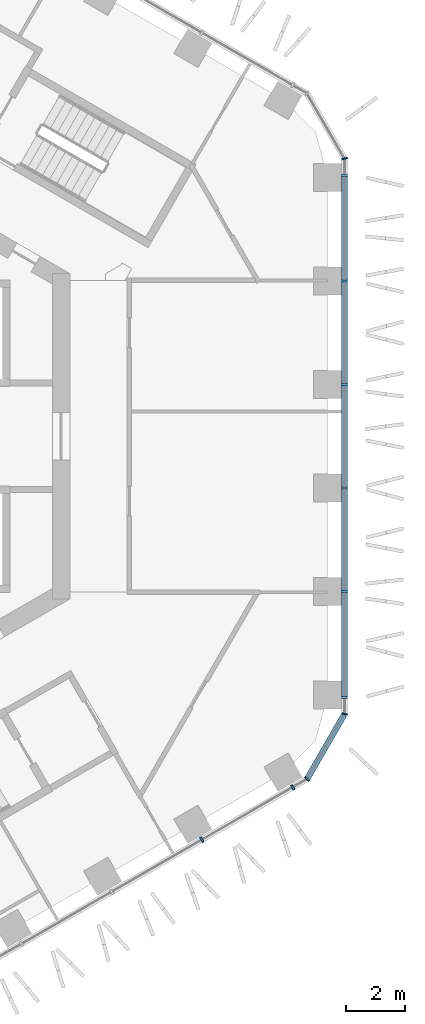
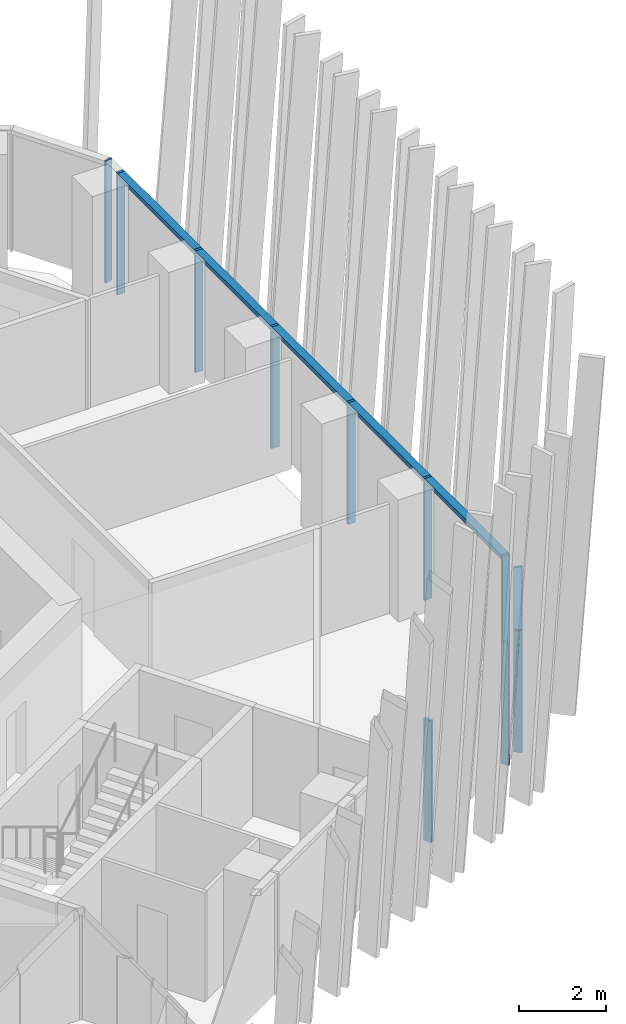
# One storey, part 5 of 21: 13 members, 4 elements without a shape of their own.
"""IFC4 building model written with IfcOpenShell, lengths in metres."""

import ifcopenshell
import ifcopenshell.guid

model = None  # the IFC model being written
_history = None  # IfcOwnerHistory: only IFC2X3 demands one
_inside = {}  # id of a spatial element -> (the spatial element, [elements in it])
_under = {}  # id of a project, library or spatial element -> (it, [spatial elements below it])
_declared = {}  # id of a project -> (the project, [libraries it declares])
_typed = {}  # id of a type object -> (the type object, [elements of that type])
_made_of = {}  # id of a material, layer set ... -> (it, [elements and type objects made of it])


def new_model(schema):
    """Start an empty IFC model of exactly this schema.

    Asked for "IFC4X3", IfcOpenShell would pick the latest addendum, in which some entities
    have other attributes; the version numbers below select the first issue.
    IFC2X3 requires an IfcOwnerHistory on every rooted entity: one is made here for all.
    """
    global model, _history
    if schema == "IFC4X3":
        model = ifcopenshell.file(schema_version=(4, 3, 0, 0))
    else:
        model = ifcopenshell.file(schema=schema)
    _inside.clear()
    _under.clear()
    _declared.clear()
    _typed.clear()
    _made_of.clear()
    _history = None
    if model.schema == "IFC2X3":
        org = make("IfcOrganization", Name="unknown")
        user = make(
            "IfcPersonAndOrganization",
            ThePerson=make("IfcPerson", FamilyName="unknown"),
            TheOrganization=org,
        )
        app = make(
            "IfcApplication",
            ApplicationDeveloper=org,
            Version="unknown",
            ApplicationFullName="unknown",
            ApplicationIdentifier="unknown",
        )
        _history = make(
            "IfcOwnerHistory",
            OwningUser=user,
            OwningApplication=app,
            ChangeAction="ADDED",
            CreationDate=0,
        )
    return model


def make(cls, **values):
    """One entity of the class cls with the attributes given. An attribute that is None is left unset."""
    return model.create_entity(
        cls, **{name: value for name, value in values.items() if value is not None}
    )


def rooted(cls, **values):
    """An entity with a GlobalId (a new one), such as an element, a storey or a relation."""
    return make(cls, GlobalId=ifcopenshell.guid.new(), OwnerHistory=_history, **values)


def si_unit(unit_type, name, prefix=None):
    """IfcSIUnit, for example si_unit("LENGTHUNIT", "METRE", prefix="MILLI")."""
    return make("IfcSIUnit", UnitType=unit_type, Prefix=prefix, Name=name)


def assignment(units):
    """IfcUnitAssignment: the units of a project."""
    return None if units is None else make("IfcUnitAssignment", Units=units)


def point(xyz):
    """IfcCartesianPoint."""
    return None if xyz is None else make("IfcCartesianPoint", Coordinates=xyz)


def direction(xyz):
    """IfcDirection."""
    return None if xyz is None else make("IfcDirection", DirectionRatios=xyz)


def frame(location, z_axis=None, x_axis=None):
    """IfcAxis2Placement3D, a coordinate frame: its origin and axes. An axis left out is left unset."""
    return make(
        "IfcAxis2Placement3D",
        Location=point(location),
        Axis=direction(z_axis),
        RefDirection=direction(x_axis),
    )


def frame_2d(location, x_axis=None):
    """IfcAxis2Placement2D, a coordinate frame in the plane: its origin and x axis."""
    return make(
        "IfcAxis2Placement2D", Location=point(location), RefDirection=direction(x_axis)
    )


def origin():
    """The frame at (0, 0, 0) with its axes left unset."""
    return frame((0.0, 0.0, 0.0))


def origin_2d():
    """The frame at (0, 0) in the plane with its x axis left unset."""
    return frame_2d((0.0, 0.0))


def place(relative_to, where):
    """IfcLocalPlacement: puts the frame where relative to a parent placement (None: the world)."""
    return make(
        "IfcLocalPlacement", PlacementRelTo=relative_to, RelativePlacement=where
    )


def context(
    kind, dimensions, precision=None, world=None, true_north=None, identifier=None
):
    """IfcGeometricRepresentationContext, for example the 3D "Model" context."""
    return make(
        "IfcGeometricRepresentationContext",
        ContextIdentifier=identifier,
        ContextType=kind,
        CoordinateSpaceDimension=dimensions,
        Precision=precision,
        WorldCoordinateSystem=world,
        TrueNorth=true_north,
    )


def subcontext(parent, identifier, kind, view, scale=None):
    """IfcGeometricRepresentationSubContext, for example "Body" below "Model"."""
    return make(
        "IfcGeometricRepresentationSubContext",
        ContextIdentifier=identifier,
        ContextType=kind,
        ParentContext=parent,
        TargetScale=scale,
        TargetView=view,
    )


def project(units=None, contexts=None):
    """IfcProject with its units and contexts."""
    return rooted(
        "IfcProject",
        Name="project",
        RepresentationContexts=contexts,
        UnitsInContext=assignment(units),
    )


def spatial(cls, under=None, at=None, **own):
    """A site, building, storey or space (cls), placed at a placement, below another one or the project."""
    s = rooted(cls, ObjectPlacement=at, **own)
    if under is not None:
        _under.setdefault(under.id(), (under, []))[1].append(s)
    return s


def profile(cls, at=None, kind="AREA", **sizes):
    """A parametric profile (cls). Its sizes go by their IFC names, for example OverallWidth=200.0."""
    return make(cls, ProfileType=kind, Position=at, **sizes)


def rectangle(**sizes):
    """IfcRectangleProfileDef."""
    return profile("IfcRectangleProfileDef", **sizes)


def extrude(swept, where, along, depth):
    """IfcExtrudedAreaSolid: the profile swept, set in the frame where, extruded along a direction by depth."""
    return make(
        "IfcExtrudedAreaSolid",
        SweptArea=swept,
        Position=where,
        ExtrudedDirection=direction(along),
        Depth=depth,
    )


def shape(context_of_items, identifier, shape_type, items):
    """IfcShapeRepresentation: the items that make up one representation, for example the "Body"."""
    return make(
        "IfcShapeRepresentation",
        ContextOfItems=context_of_items,
        RepresentationIdentifier=identifier,
        RepresentationType=shape_type,
        Items=items,
    )


def material(Name=None, Category=None):
    """IfcMaterial."""
    return make("IfcMaterial", Name=Name, Category=Category)


def layer(
    of_material, thickness, ventilated=None, Name=None, Category=None, Priority=None
):
    """IfcMaterialLayer: one layer of a wall or slab, of a material (None: an air gap)."""
    return make(
        "IfcMaterialLayer",
        Material=of_material,
        LayerThickness=thickness,
        IsVentilated=ventilated,
        Name=Name,
        Category=Category,
        Priority=Priority,
    )


def layer_set(layers, Name=None):
    """IfcMaterialLayerSet."""
    return make("IfcMaterialLayerSet", MaterialLayers=layers, LayerSetName=Name)


def material_profile(
    of_material, cross_section, Name=None, Category=None, Priority=None
):
    """IfcMaterialProfile: a cross section and its material."""
    return make(
        "IfcMaterialProfile",
        Name=Name,
        Material=of_material,
        Profile=cross_section,
        Priority=Priority,
        Category=Category,
    )


def profile_set(profiles, Name=None, composite=None):
    """IfcMaterialProfileSet."""
    return make(
        "IfcMaterialProfileSet",
        Name=Name,
        MaterialProfiles=profiles,
        CompositeProfile=composite,
    )


def made_of(thing, what):
    """Note that an element or type object is made of a material, layer set ...; save() writes the relation."""
    if what is not None:
        _made_of.setdefault(what.id(), (what, []))[1].append(thing)
    return thing


def type_object(cls, material=None, **own):
    """A type object (cls), such as IfcWallType, which elements share."""
    return made_of(rooted(cls, **own), material)


def element(
    cls,
    number,
    at=None,
    inside=None,
    cuts=None,
    type_object=None,
    material=None,
    context=None,
    identifier="Body",
    shape_type=None,
    held_by="IfcProductDefinitionShape",
    body=None,
    shapes=None,
    **own,
):
    """One element of the class cls, such as IfcWall. Its Tag is "e" and its number.

    at: its placement. inside: the storey or other place that contains it. cuts: it is an
    opening in that element (IfcRelVoidsElement). A single representation is given by context,
    identifier, shape_type and body (its items); several are given by shapes. held_by: the class
    of the entity that holds the representations. save() writes the other relations.
    """
    e = rooted(cls, Tag="e%d" % number, ObjectPlacement=at, **own)
    if body is not None:
        shapes = [shape(context, identifier, shape_type, body)]
    if shapes is not None:
        e.Representation = make(held_by, Representations=shapes)
    if inside is not None:
        _inside.setdefault(inside.id(), (inside, []))[1].append(e)
    if cuts is not None:
        rooted(
            "IfcRelVoidsElement", RelatingBuildingElement=cuts, RelatedOpeningElement=e
        )
    if type_object is not None:
        _typed.setdefault(type_object.id(), (type_object, []))[1].append(e)
    return made_of(e, material)


def aggregate(whole, parts):
    """IfcRelAggregates: a whole, such as a stair, and the parts it consists of."""
    return rooted("IfcRelAggregates", RelatingObject=whole, RelatedObjects=parts)


def save(model, path):
    """Write the relations noted so far, then the file.

    IfcRelAggregates (storeys below a building ...), IfcRelContainedInSpatialStructure (elements
    in a storey), IfcRelDefinesByType, IfcRelAssociatesMaterial and IfcRelDeclares: one each for
    every whole, place, type object, material and project.
    """
    for whole, parts in _under.values():
        aggregate(whole, parts)
    for where, things in _inside.values():
        rooted(
            "IfcRelContainedInSpatialStructure",
            RelatedElements=things,
            RelatingStructure=where,
        )
    for kind, things in _typed.values():
        rooted("IfcRelDefinesByType", RelatedObjects=things, RelatingType=kind)
    for what, things in _made_of.values():
        rooted("IfcRelAssociatesMaterial", RelatedObjects=things, RelatingMaterial=what)
    for by, libraries in _declared.values():
        rooted("IfcRelDeclares", RelatingContext=by, RelatedDefinitions=libraries)
    model.write(path)


model = new_model("IFC4")

# Units and contexts
model_context = context("Model", 3, precision=1e-05, world=origin(), true_north=direction((0.0, 1.0)))
body_context = subcontext(model_context, "Body", "Model", "MODEL_VIEW")
ifc_project = project(units=[si_unit("LENGTHUNIT", "METRE"), si_unit("AREAUNIT", "SQUARE_METRE"), si_unit("VOLUMEUNIT", "CUBIC_METRE"), si_unit("PLANEANGLEUNIT", "RADIAN"), si_unit("MASSUNIT", "GRAM", prefix="KILO")], contexts=[model_context])

# Site, building, storey
site_placement = place(None, origin())
site = spatial("IfcSite", under=ifc_project, at=site_placement, CompositionType="ELEMENT")
building_placement = place(site_placement, origin())
building = spatial("IfcBuilding", under=site, at=building_placement, Name="Ayvan Gate Tower", CompositionType="ELEMENT")
storey_placement = place(building_placement, frame((0.0, 0.0, 152.699951171875)))
storey = spatial("IfcBuildingStorey", under=building, at=storey_placement, Name="L40", CompositionType="ELEMENT", Elevation=152.699951171875)

# Curtain wall, members
ifc_material = material(Name="Bronze anodised aluminium", Category="aluminium")
ifc_layer_1 = layer(ifc_material, 0.199951171875)
ifc_layer_set_1 = layer_set([ifc_layer_1], Name="Bronze anodised aluminium")
curtain_wall_type_1 = type_object("IfcCurtainWallType", Name="Stick curtain wall CW-2", PredefinedType="NOTDEFINED", material=ifc_layer_set_1)
curtain_wall_1_placement = place(storey_placement, origin())
curtain_wall_1 = element("IfcCurtainWall", 1, at=curtain_wall_1_placement, inside=storey, type_object=curtain_wall_type_1, Name="Stick curtain wall CW-2 L40", PredefinedType="NOTDEFINED")
ifc_material_profile_1 = material_profile(ifc_material, rectangle(XDim=0.199951171875, YDim=0.070068359375, at=origin_2d()), Name="Stick curtain wall CW-2 mullion 200 x 70")
ifc_profile_set_1 = profile_set([ifc_material_profile_1], Name="Bronze anodised aluminium")
member_type_1 = type_object("IfcMemberType", Name="Stick curtain wall CW-2 mullion 200 x 70", PredefinedType="MULLION", material=ifc_profile_set_1)
member_1_placement = place(storey_placement, frame((13.94580078125, -13.6123046875, 0.0), z_axis=(0.0, 0.0, 1.0), x_axis=(0.5, -0.866025403784, 0.0)))
member_1 = element("IfcMember", 2, at=member_1_placement, type_object=member_type_1, Name="CW-2 mullion 5", PredefinedType="MULLION", context=body_context, shape_type="SweptSolid", body=[
    extrude(rectangle(XDim=0.199951171875, YDim=0.070068359375, at=origin_2d()), origin(), (0.0, 0.0, 1.0), 3.400146484375),
])
member_2_placement = place(storey_placement, frame((17.00927734375, -11.84375, 0.0), z_axis=(0.0, 0.0, 1.0), x_axis=(0.5, -0.866025403784, 0.0)))
member_2 = element("IfcMember", 3, at=member_2_placement, type_object=member_type_1, Name="CW-2 mullion 6", PredefinedType="MULLION", context=body_context, shape_type="SweptSolid", body=[
    extrude(rectangle(XDim=0.199951171875, YDim=0.070068359375, at=origin_2d()), origin(), (0.0, 0.0, 1.0), 3.400146484375),
])
aggregate(curtain_wall_1, [member_1, member_2])

curtain_wall_2_placement = place(storey_placement, origin())
curtain_wall_2 = element("IfcCurtainWall", 4, at=curtain_wall_2_placement, inside=storey, type_object=curtain_wall_type_1, Name="Stick curtain wall CW-2 L40", PredefinedType="NOTDEFINED")
member_3_placement = place(storey_placement, frame((18.761474609375, -8.80859375, 0.0), z_axis=(0.0, 0.0, 1.0), x_axis=(1.0, 0.0, 0.0)))
member_3 = element("IfcMember", 5, at=member_3_placement, type_object=member_type_1, Name="CW-2 mullion 1", PredefinedType="MULLION", context=body_context, shape_type="SweptSolid", body=[
    extrude(rectangle(XDim=0.199951171875, YDim=0.070068359375, at=origin_2d()), origin(), (0.0, 0.0, 1.0), 3.400146484375),
])
member_4_placement = place(storey_placement, frame((18.761474609375, -5.24072265625, 0.0), z_axis=(0.0, 0.0, 1.0), x_axis=(1.0, 0.0, 0.0)))
member_4 = element("IfcMember", 6, at=member_4_placement, type_object=member_type_1, Name="CW-2 mullion 2", PredefinedType="MULLION", context=body_context, shape_type="SweptSolid", body=[
    extrude(rectangle(XDim=0.199951171875, YDim=0.070068359375, at=origin_2d()), origin(), (0.0, 0.0, 1.0), 3.400146484375),
])
member_5_placement = place(storey_placement, frame((18.761474609375, -1.74658203125, 0.0), z_axis=(0.0, 0.0, 1.0), x_axis=(1.0, 0.0, 0.0)))
member_5 = element("IfcMember", 7, at=member_5_placement, type_object=member_type_1, Name="CW-2 mullion 3", PredefinedType="MULLION", context=body_context, shape_type="SweptSolid", body=[
    extrude(rectangle(XDim=0.199951171875, YDim=0.070068359375, at=origin_2d()), origin(), (0.0, 0.0, 1.0), 3.400146484375),
])
member_6_placement = place(storey_placement, frame((18.761474609375, 1.746337890625, 0.0), z_axis=(0.0, 0.0, 1.0), x_axis=(1.0, 0.0, 0.0)))
member_6 = element("IfcMember", 8, at=member_6_placement, type_object=member_type_1, Name="CW-2 mullion 4", PredefinedType="MULLION", context=body_context, shape_type="SweptSolid", body=[
    extrude(rectangle(XDim=0.199951171875, YDim=0.070068359375, at=origin_2d()), origin(), (0.0, 0.0, 1.0), 3.400146484375),
])
member_7_placement = place(storey_placement, frame((18.761474609375, 5.240234375, 0.0), z_axis=(0.0, 0.0, 1.0), x_axis=(1.0, 0.0, 0.0)))
member_7 = element("IfcMember", 9, at=member_7_placement, type_object=member_type_1, Name="CW-2 mullion 5", PredefinedType="MULLION", context=body_context, shape_type="SweptSolid", body=[
    extrude(rectangle(XDim=0.199951171875, YDim=0.070068359375, at=origin_2d()), origin(), (0.0, 0.0, 1.0), 3.400146484375),
])
member_8_placement = place(storey_placement, frame((18.761474609375, 8.80859375, 0.0), z_axis=(0.0, 0.0, 1.0), x_axis=(1.0, 0.0, 0.0)))
member_8 = element("IfcMember", 10, at=member_8_placement, type_object=member_type_1, Name="CW-2 mullion 6", PredefinedType="MULLION", context=body_context, shape_type="SweptSolid", body=[
    extrude(rectangle(XDim=0.199951171875, YDim=0.070068359375, at=origin_2d()), origin(), (0.0, 0.0, 1.0), 3.400146484375),
])
ifc_material_profile_2 = material_profile(ifc_material, rectangle(XDim=0.199951171875, YDim=0.1201171875, at=origin_2d()), Name="Stick curtain wall CW-2 transom 200 x 120")
ifc_profile_set_2 = profile_set([ifc_material_profile_2], Name="Bronze anodised aluminium")
member_type_2 = type_object("IfcMemberType", Name="Stick curtain wall CW-2 transom 200 x 120", PredefinedType="USERDEFINED", material=ifc_profile_set_2)
member_9_placement = place(storey_placement, frame((18.761474609375, -8.80859375, 3.340087890625), z_axis=(0.0, 1.0, 0.0), x_axis=(-1.0, 0.0, 0.0)))
member_9 = element("IfcMember", 11, at=member_9_placement, type_object=member_type_2, Name="CW-2 transom 1", ObjectType="TRANSOM", PredefinedType="USERDEFINED", context=body_context, shape_type="SweptSolid", body=[
    extrude(rectangle(XDim=0.199951171875, YDim=0.1201171875, at=origin_2d()), origin(), (0.0, 0.0, 1.0), 17.6171875),
])
aggregate(curtain_wall_2, [member_3, member_4, member_5, member_6, member_7, member_8, member_9])

ifc_layer_2 = layer(ifc_material, 0.199951171875)
ifc_layer_set_2 = layer_set([ifc_layer_2], Name="Bronze anodised aluminium")
curtain_wall_type_2 = type_object("IfcCurtainWallType", Name="Stick curtain wall CW-6", PredefinedType="NOTDEFINED", material=ifc_layer_set_2)
curtain_wall_3_placement = place(storey_placement, origin())
curtain_wall_3 = element("IfcCurtainWall", 12, at=curtain_wall_3_placement, inside=storey, type_object=curtain_wall_type_2, Name="Stick curtain wall CW-6 L40", PredefinedType="NOTDEFINED")
ifc_material_profile_3 = material_profile(ifc_material, rectangle(XDim=0.199951171875, YDim=0.050048828125, at=origin_2d()), Name="Stick curtain wall CW-6 mullion 200 x 50")
ifc_profile_set_3 = profile_set([ifc_material_profile_3], Name="Bronze anodised aluminium")
member_type_3 = type_object("IfcMemberType", Name="Stick curtain wall CW-6 mullion 200 x 50", PredefinedType="MULLION", material=ifc_profile_set_3)
member_10_placement = place(storey_placement, frame((17.494140625, -11.563720703125, 0.0), z_axis=(0.0, 0.0, 1.0), x_axis=(0.707106781187, -0.707106781187, 0.0)))
member_10 = element("IfcMember", 13, at=member_10_placement, type_object=member_type_3, Name="CW-6 mullion 2", PredefinedType="MULLION", context=body_context, shape_type="SweptSolid", body=[
    extrude(rectangle(XDim=0.199951171875, YDim=0.050048828125, at=origin_2d()), origin(), (0.0, 0.0, 1.0), 3.400146484375),
])
member_11_placement = place(storey_placement, frame((18.761474609375, -9.36865234375, 0.0), z_axis=(0.0, 0.0, 1.0), x_axis=(0.965925826289, -0.258819045103, 0.0)))
member_11 = element("IfcMember", 14, at=member_11_placement, type_object=member_type_3, Name="CW-6 mullion 3", PredefinedType="MULLION", context=body_context, shape_type="SweptSolid", body=[
    extrude(rectangle(XDim=0.199951171875, YDim=0.050048828125, at=origin_2d()), origin(), (0.0, 0.0, 1.0), 3.400146484375),
])

# Curtain wall, member
curtain_wall_4_placement = place(storey_placement, origin())
curtain_wall_4 = element("IfcCurtainWall", 15, at=curtain_wall_4_placement, inside=storey, type_object=curtain_wall_type_2, Name="Stick curtain wall CW-6 L40", PredefinedType="NOTDEFINED")
member_12_placement = place(storey_placement, frame((18.761474609375, 9.36865234375, 0.0), z_axis=(0.0, 0.0, 1.0), x_axis=(0.965925826289, 0.258819045103, 0.0)))
member_12 = element("IfcMember", 16, at=member_12_placement, type_object=member_type_3, Name="CW-6 mullion 2", PredefinedType="MULLION", context=body_context, shape_type="SweptSolid", body=[
    extrude(rectangle(XDim=0.199951171875, YDim=0.050048828125, at=origin_2d()), origin(), (0.0, 0.0, 1.0), 3.400146484375),
])
aggregate(curtain_wall_4, [member_12])

# Member
ifc_material_profile_4 = material_profile(ifc_material, rectangle(XDim=0.199951171875, YDim=0.1201171875, at=origin_2d()), Name="Stick curtain wall CW-6 transom 200 x 120")
ifc_profile_set_4 = profile_set([ifc_material_profile_4], Name="Bronze anodised aluminium")
member_type_4 = type_object("IfcMemberType", Name="Stick curtain wall CW-6 transom 200 x 120", PredefinedType="USERDEFINED", material=ifc_profile_set_4)
member_13_placement = place(storey_placement, frame((17.5068359375, -11.5419921875, 3.340087890625), z_axis=(0.499986149909, 0.86603339999, 0.0), x_axis=(-0.86603339999, 0.499986149909, 0.0)))
member_13 = element("IfcMember", 17, at=member_13_placement, type_object=member_type_4, Name="CW-6 transom 2", ObjectType="TRANSOM", PredefinedType="USERDEFINED", context=body_context, shape_type="SweptSolid", body=[
    extrude(rectangle(XDim=0.199951171875, YDim=0.1201171875, at=origin_2d()), origin(), (0.0, 0.0, 1.0), 2.484375),
])

aggregate(curtain_wall_3, [member_10, member_11, member_13])

save(model, "model.ifc")
